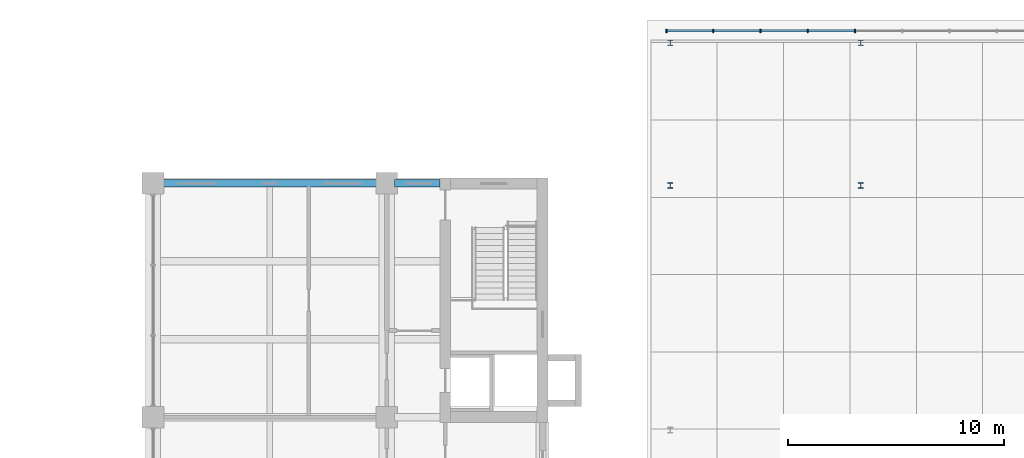
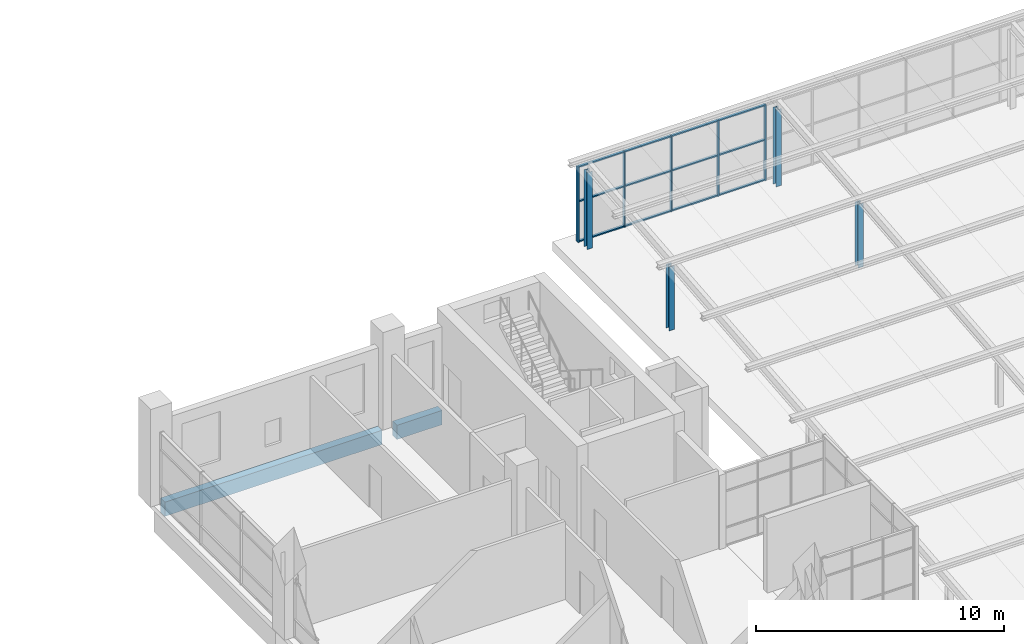
# One storey, part 26 of 44: 21 members, 2 beams, 1 element without a shape of its own.
"""IFC4 building model written with IfcOpenShell, lengths in metres."""

from ifc_helpers import new_model, si_unit, direction, frame, origin, origin_2d, place, context, subcontext, project, spatial, rectangle, i_section, extrude, material, layer, layer_set, material_profile, profile_set, type_object, element, aggregate, save


model = new_model("IFC4")

# Units and contexts
model_context = context("Model", 3, precision=1e-05, world=origin(), true_north=direction((0.0, 1.0)))
body_context = subcontext(model_context, "Body", "Model", "MODEL_VIEW")
ifc_project = project(units=[si_unit("LENGTHUNIT", "METRE"), si_unit("AREAUNIT", "SQUARE_METRE"), si_unit("VOLUMEUNIT", "CUBIC_METRE"), si_unit("PLANEANGLEUNIT", "RADIAN"), si_unit("MASSUNIT", "GRAM", prefix="KILO")], contexts=[model_context])

# Site, building, storey
site_placement = place(None, origin())
site = spatial("IfcSite", under=ifc_project, at=site_placement, CompositionType="ELEMENT")
building_placement = place(site_placement, origin())
building = spatial("IfcBuilding", under=site, at=building_placement, Name="Basin Gate Institute", CompositionType="ELEMENT")
storey_placement = place(building_placement, frame((0.0, 0.0, 27.0)))
storey = spatial("IfcBuildingStorey", under=building, at=storey_placement, Name="L05", CompositionType="ELEMENT", Elevation=27.0)

# Curtain wall, members
ifc_material_1 = material(Name="Aluminium and glass curtain wall", Category="aluminium")
ifc_layer = layer(ifc_material_1, 0.14990234375)
ifc_layer_set = layer_set([ifc_layer], Name="Atrium curtain wall CW81")
curtain_wall_type = type_object("IfcCurtainWallType", Name="Atrium curtain wall CW81", PredefinedType="NOTDEFINED", material=ifc_layer_set)
curtain_wall_placement = place(storey_placement, origin())
curtain_wall = element("IfcCurtainWall", 1, at=curtain_wall_placement, inside=storey, type_object=curtain_wall_type, material=ifc_layer_set, Name="Clean block north clerestory glazing", PredefinedType="NOTDEFINED")
ifc_material_2 = material(Name="Aluminium mullion", Category="aluminium")
ifc_material_profile_1 = material_profile(ifc_material_2, rectangle(XDim=0.159912109375, YDim=0.06005859375, at=origin_2d()), Name="Atrium mullion MU81 160 x 60")
ifc_profile_set_1 = profile_set([ifc_material_profile_1], Name="Aluminium mullion")
member_type_1 = type_object("IfcMemberType", Name="Atrium mullion MU81", PredefinedType="MULLION", material=ifc_profile_set_1)
member_1_placement = place(storey_placement, frame((124.530029296875, 106.949951171875, 0.0), z_axis=(0.0, 0.0, 1.0), x_axis=(0.0, 1.0, 0.0)))
member_1 = element("IfcMember", 2, at=member_1_placement, type_object=member_type_1, material=ifc_profile_set_1, Name="CW81 mullion 1", PredefinedType="MULLION", context=body_context, shape_type="SweptSolid", body=[
    extrude(rectangle(XDim=0.159912109375, YDim=0.06005859375, at=origin_2d()), origin(), (0.0, 0.0, 1.0), 3.729736328125),
])
member_2_placement = place(storey_placement, frame((126.683349609375, 106.949951171875, 0.0), z_axis=(0.0, 0.0, 1.0), x_axis=(0.0, 1.0, 0.0)))
member_2 = element("IfcMember", 3, at=member_2_placement, type_object=member_type_1, material=ifc_profile_set_1, Name="CW81 mullion 2", PredefinedType="MULLION", context=body_context, shape_type="SweptSolid", body=[
    extrude(rectangle(XDim=0.159912109375, YDim=0.06005859375, at=origin_2d()), origin(), (0.0, 0.0, 1.0), 3.729736328125),
])
member_3_placement = place(storey_placement, frame((128.86669921875, 106.949951171875, 0.0), z_axis=(0.0, 0.0, 1.0), x_axis=(0.0, 1.0, 0.0)))
member_3 = element("IfcMember", 4, at=member_3_placement, type_object=member_type_1, material=ifc_profile_set_1, Name="CW81 mullion 3", PredefinedType="MULLION", context=body_context, shape_type="SweptSolid", body=[
    extrude(rectangle(XDim=0.159912109375, YDim=0.06005859375, at=origin_2d()), origin(), (0.0, 0.0, 1.0), 3.729736328125),
])
member_4_placement = place(storey_placement, frame((131.050048828125, 106.949951171875, 0.0), z_axis=(0.0, 0.0, 1.0), x_axis=(0.0, 1.0, 0.0)))
member_4 = element("IfcMember", 5, at=member_4_placement, type_object=member_type_1, material=ifc_profile_set_1, Name="CW81 mullion 4", PredefinedType="MULLION", context=body_context, shape_type="SweptSolid", body=[
    extrude(rectangle(XDim=0.159912109375, YDim=0.06005859375, at=origin_2d()), origin(), (0.0, 0.0, 1.0), 3.729736328125),
])
member_5_placement = place(storey_placement, frame((133.2333984375, 106.949951171875, 0.0), z_axis=(0.0, 0.0, 1.0), x_axis=(0.0, 1.0, 0.0)))
member_5 = element("IfcMember", 6, at=member_5_placement, type_object=member_type_1, material=ifc_profile_set_1, Name="CW81 mullion 5", PredefinedType="MULLION", context=body_context, shape_type="SweptSolid", body=[
    extrude(rectangle(XDim=0.159912109375, YDim=0.06005859375, at=origin_2d()), origin(), (0.0, 0.0, 1.0), 3.729736328125),
])
ifc_material_3 = material(Name="Aluminium transom", Category="aluminium")
ifc_material_profile_2 = material_profile(ifc_material_3, rectangle(XDim=0.1201171875, YDim=0.06005859375, at=origin_2d()), Name="Atrium transom TR81 120 x 60")
ifc_profile_set_2 = profile_set([ifc_material_profile_2], Name="Aluminium transom")
member_type_2 = type_object("IfcMemberType", Name="Atrium transom TR81", PredefinedType="USERDEFINED", material=ifc_profile_set_2)
member_6_placement = place(storey_placement, frame((124.56005859375, 106.949951171875, 0.030029296875), z_axis=(1.0, 0.0, 0.0), x_axis=(0.0, 1.0, 0.0)))
member_6 = element("IfcMember", 7, at=member_6_placement, type_object=member_type_2, material=ifc_profile_set_2, Name="CW81 transom 1.1", ObjectType="TRANSOM", PredefinedType="USERDEFINED", context=body_context, shape_type="SweptSolid", body=[
    extrude(rectangle(XDim=0.1201171875, YDim=0.06005859375, at=origin_2d()), origin(), (0.0, 0.0, 1.0), 2.09326171875),
])
member_7_placement = place(storey_placement, frame((124.56005859375, 106.949951171875, 2.0), z_axis=(1.0, 0.0, 0.0), x_axis=(0.0, 1.0, 0.0)))
member_7 = element("IfcMember", 8, at=member_7_placement, type_object=member_type_2, material=ifc_profile_set_2, Name="CW81 transom 1.2", ObjectType="TRANSOM", PredefinedType="USERDEFINED", context=body_context, shape_type="SweptSolid", body=[
    extrude(rectangle(XDim=0.1201171875, YDim=0.06005859375, at=origin_2d()), origin(), (0.0, 0.0, 1.0), 2.09326171875),
])
member_8_placement = place(storey_placement, frame((124.56005859375, 106.949951171875, 3.69970703125), z_axis=(1.0, 0.0, 0.0), x_axis=(0.0, 1.0, 0.0)))
member_8 = element("IfcMember", 9, at=member_8_placement, type_object=member_type_2, material=ifc_profile_set_2, Name="CW81 transom 1.3", ObjectType="TRANSOM", PredefinedType="USERDEFINED", context=body_context, shape_type="SweptSolid", body=[
    extrude(rectangle(XDim=0.1201171875, YDim=0.06005859375, at=origin_2d()), origin(), (0.0, 0.0, 1.0), 2.09326171875),
])
member_9_placement = place(storey_placement, frame((126.71337890625, 106.949951171875, 0.030029296875), z_axis=(1.0, 0.0, 0.0), x_axis=(0.0, 1.0, 0.0)))
member_9 = element("IfcMember", 10, at=member_9_placement, type_object=member_type_2, material=ifc_profile_set_2, Name="CW81 transom 2.1", ObjectType="TRANSOM", PredefinedType="USERDEFINED", context=body_context, shape_type="SweptSolid", body=[
    extrude(rectangle(XDim=0.1201171875, YDim=0.06005859375, at=origin_2d()), origin(), (0.0, 0.0, 1.0), 2.123291015625),
])
member_10_placement = place(storey_placement, frame((126.71337890625, 106.949951171875, 2.0), z_axis=(1.0, 0.0, 0.0), x_axis=(0.0, 1.0, 0.0)))
member_10 = element("IfcMember", 11, at=member_10_placement, type_object=member_type_2, material=ifc_profile_set_2, Name="CW81 transom 2.2", ObjectType="TRANSOM", PredefinedType="USERDEFINED", context=body_context, shape_type="SweptSolid", body=[
    extrude(rectangle(XDim=0.1201171875, YDim=0.06005859375, at=origin_2d()), origin(), (0.0, 0.0, 1.0), 2.123291015625),
])
member_11_placement = place(storey_placement, frame((126.71337890625, 106.949951171875, 3.69970703125), z_axis=(1.0, 0.0, 0.0), x_axis=(0.0, 1.0, 0.0)))
member_11 = element("IfcMember", 12, at=member_11_placement, type_object=member_type_2, material=ifc_profile_set_2, Name="CW81 transom 2.3", ObjectType="TRANSOM", PredefinedType="USERDEFINED", context=body_context, shape_type="SweptSolid", body=[
    extrude(rectangle(XDim=0.1201171875, YDim=0.06005859375, at=origin_2d()), origin(), (0.0, 0.0, 1.0), 2.123291015625),
])
member_12_placement = place(storey_placement, frame((128.896728515625, 106.949951171875, 0.030029296875), z_axis=(1.0, 0.0, 0.0), x_axis=(0.0, 1.0, 0.0)))
member_12 = element("IfcMember", 13, at=member_12_placement, type_object=member_type_2, material=ifc_profile_set_2, Name="CW81 transom 3.1", ObjectType="TRANSOM", PredefinedType="USERDEFINED", context=body_context, shape_type="SweptSolid", body=[
    extrude(rectangle(XDim=0.1201171875, YDim=0.06005859375, at=origin_2d()), origin(), (0.0, 0.0, 1.0), 2.123291015625),
])
member_13_placement = place(storey_placement, frame((128.896728515625, 106.949951171875, 2.0), z_axis=(1.0, 0.0, 0.0), x_axis=(0.0, 1.0, 0.0)))
member_13 = element("IfcMember", 14, at=member_13_placement, type_object=member_type_2, material=ifc_profile_set_2, Name="CW81 transom 3.2", ObjectType="TRANSOM", PredefinedType="USERDEFINED", context=body_context, shape_type="SweptSolid", body=[
    extrude(rectangle(XDim=0.1201171875, YDim=0.06005859375, at=origin_2d()), origin(), (0.0, 0.0, 1.0), 2.123291015625),
])
member_14_placement = place(storey_placement, frame((128.896728515625, 106.949951171875, 3.69970703125), z_axis=(1.0, 0.0, 0.0), x_axis=(0.0, 1.0, 0.0)))
member_14 = element("IfcMember", 15, at=member_14_placement, type_object=member_type_2, material=ifc_profile_set_2, Name="CW81 transom 3.3", ObjectType="TRANSOM", PredefinedType="USERDEFINED", context=body_context, shape_type="SweptSolid", body=[
    extrude(rectangle(XDim=0.1201171875, YDim=0.06005859375, at=origin_2d()), origin(), (0.0, 0.0, 1.0), 2.123291015625),
])
member_15_placement = place(storey_placement, frame((131.080078125, 106.949951171875, 0.030029296875), z_axis=(1.0, 0.0, 0.0), x_axis=(0.0, 1.0, 0.0)))
member_15 = element("IfcMember", 16, at=member_15_placement, type_object=member_type_2, material=ifc_profile_set_2, Name="CW81 transom 4.1", ObjectType="TRANSOM", PredefinedType="USERDEFINED", context=body_context, shape_type="SweptSolid", body=[
    extrude(rectangle(XDim=0.1201171875, YDim=0.06005859375, at=origin_2d()), origin(), (0.0, 0.0, 1.0), 2.123291015625),
])
member_16_placement = place(storey_placement, frame((131.080078125, 106.949951171875, 2.0), z_axis=(1.0, 0.0, 0.0), x_axis=(0.0, 1.0, 0.0)))
member_16 = element("IfcMember", 17, at=member_16_placement, type_object=member_type_2, material=ifc_profile_set_2, Name="CW81 transom 4.2", ObjectType="TRANSOM", PredefinedType="USERDEFINED", context=body_context, shape_type="SweptSolid", body=[
    extrude(rectangle(XDim=0.1201171875, YDim=0.06005859375, at=origin_2d()), origin(), (0.0, 0.0, 1.0), 2.123291015625),
])
member_17_placement = place(storey_placement, frame((131.080078125, 106.949951171875, 3.69970703125), z_axis=(1.0, 0.0, 0.0), x_axis=(0.0, 1.0, 0.0)))
member_17 = element("IfcMember", 18, at=member_17_placement, type_object=member_type_2, material=ifc_profile_set_2, Name="CW81 transom 4.3", ObjectType="TRANSOM", PredefinedType="USERDEFINED", context=body_context, shape_type="SweptSolid", body=[
    extrude(rectangle(XDim=0.1201171875, YDim=0.06005859375, at=origin_2d()), origin(), (0.0, 0.0, 1.0), 2.123291015625),
])
aggregate(curtain_wall, [member_1, member_2, member_3, member_4, member_5, member_6, member_7, member_8, member_9, member_10, member_11, member_12, member_13, member_14, member_15, member_16, member_17])

# Beams
ifc_material_4 = material(Name="Concrete 40 MPa", Category="concrete")
ifc_material_profile_3 = material_profile(ifc_material_4, rectangle(XDim=0.35009765625, YDim=0.699951171875, at=origin_2d()), Name="Beam B1 350 x 700")
ifc_profile_set_3 = profile_set([ifc_material_profile_3], Name="Concrete 40 MPa")
beam_type = type_object("IfcBeamType", Name="Beam B1 R120", PredefinedType="BEAM", material=ifc_profile_set_3)
beam_1_placement = place(storey_placement, frame((111.25, 99.89990234375, -0.60009765625), z_axis=(-1.0, 0.0, 0.0), x_axis=(0.0, -1.0, 0.0)))
element("IfcBeam", 19, at=beam_1_placement, inside=storey, type_object=beam_type, material=ifc_profile_set_3, Name="BEAM/L05/E/EW/19", PredefinedType="BEAM", context=body_context, shape_type="SweptSolid", body=[
    extrude(rectangle(XDim=0.35009765625, YDim=0.699951171875, at=origin_2d()), origin(), (0.0, 0.0, 1.0), 10.10009765625),
])
beam_2_placement = place(storey_placement, frame((114.050048828125, 99.89990234375, -0.60009765625), z_axis=(-1.0, 0.0, 0.0), x_axis=(0.0, -1.0, 0.0)))
element("IfcBeam", 20, at=beam_2_placement, inside=storey, type_object=beam_type, material=ifc_profile_set_3, Name="BEAM/L05/E/CORR/19", PredefinedType="BEAM", context=body_context, shape_type="SweptSolid", body=[
    extrude(rectangle(XDim=0.35009765625, YDim=0.699951171875, at=origin_2d()), origin(), (0.0, 0.0, 1.0), 2.10009765625),
])

# Members
ifc_material_5 = material(Name="Structural steel SN490", Category="steel")
ifc_material_profile_4 = material_profile(ifc_material_5, i_section(OverallWidth=0.25, OverallDepth=0.25, WebThickness=0.009033203125, FlangeThickness=0.013916015625, FilletRadius=0.01611328125, at=origin_2d()), Name="H250x250")
ifc_profile_set_4 = profile_set([ifc_material_profile_4], Name="Structural steel SN490")
member_type_3 = type_object("IfcMemberType", Name="Umbrella post TC3 R120", PredefinedType="POST", material=ifc_profile_set_4)
member_18_placement = place(storey_placement, frame((124.699951171875, 99.800048828125, 0.0), z_axis=(0.0, 0.0, 1.0), x_axis=(1.0, 0.0, 0.0)))
element("IfcMember", 21, at=member_18_placement, inside=storey, type_object=member_type_3, material=ifc_profile_set_4, Name="Umbrella roof post 1/4", PredefinedType="POST", context=body_context, shape_type="SweptSolid", body=[
    extrude(i_section(OverallWidth=0.25, OverallDepth=0.25, WebThickness=0.009033203125, FlangeThickness=0.013916015625, FilletRadius=0.01611328125, at=origin_2d()), origin(), (0.0, 0.0, 1.0), 3.139404296875),
])
member_19_placement = place(storey_placement, frame((124.699951171875, 106.39990234375, 0.0), z_axis=(0.0, 0.0, 1.0), x_axis=(1.0, 0.0, 0.0)))
element("IfcMember", 22, at=member_19_placement, inside=storey, type_object=member_type_3, material=ifc_profile_set_4, Name="Umbrella roof post 1/5", PredefinedType="POST", context=body_context, shape_type="SweptSolid", body=[
    extrude(i_section(OverallWidth=0.25, OverallDepth=0.25, WebThickness=0.009033203125, FlangeThickness=0.013916015625, FilletRadius=0.01611328125, at=origin_2d()), origin(), (0.0, 0.0, 1.0), 3.77978515625),
])
member_20_placement = place(storey_placement, frame((133.5, 99.800048828125, 0.0), z_axis=(0.0, 0.0, 1.0), x_axis=(1.0, 0.0, 0.0)))
element("IfcMember", 23, at=member_20_placement, inside=storey, type_object=member_type_3, material=ifc_profile_set_4, Name="Umbrella roof post 2/4", PredefinedType="POST", context=body_context, shape_type="SweptSolid", body=[
    extrude(i_section(OverallWidth=0.25, OverallDepth=0.25, WebThickness=0.009033203125, FlangeThickness=0.013916015625, FilletRadius=0.01611328125, at=origin_2d()), origin(), (0.0, 0.0, 1.0), 3.139404296875),
])
member_21_placement = place(storey_placement, frame((133.5, 106.39990234375, 0.0), z_axis=(0.0, 0.0, 1.0), x_axis=(1.0, 0.0, 0.0)))
element("IfcMember", 24, at=member_21_placement, inside=storey, type_object=member_type_3, material=ifc_profile_set_4, Name="Umbrella roof post 2/5", PredefinedType="POST", context=body_context, shape_type="SweptSolid", body=[
    extrude(i_section(OverallWidth=0.25, OverallDepth=0.25, WebThickness=0.009033203125, FlangeThickness=0.013916015625, FilletRadius=0.01611328125, at=origin_2d()), origin(), (0.0, 0.0, 1.0), 3.77978515625),
])

save(model, "model.ifc")
